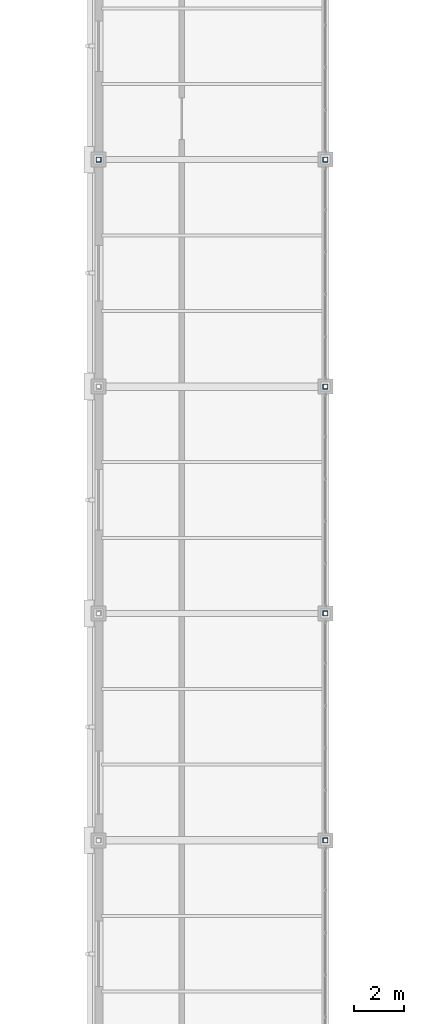
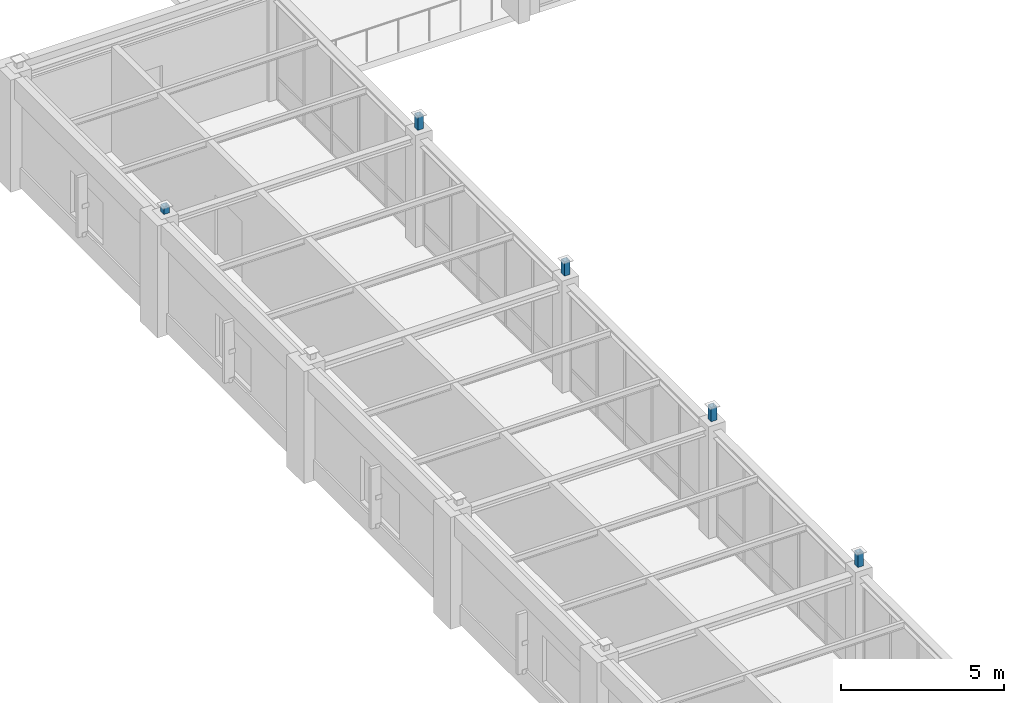
# One storey, part 68 of 97: 5 members.
"""IFC4 building model written with IfcOpenShell, lengths in metres."""

from ifc_helpers import new_model, si_unit, direction, frame, origin, origin_2d, place, context, subcontext, project, spatial, hollow_rectangle, extrude, material, material_profile, profile_set, type_object, element, save


model = new_model("IFC4")

# Units and contexts
model_context = context("Model", 3, precision=1e-05, world=origin(), true_north=direction((0.0, 1.0)))
body_context = subcontext(model_context, "Body", "Model", "MODEL_VIEW")
ifc_project = project(units=[si_unit("LENGTHUNIT", "METRE"), si_unit("AREAUNIT", "SQUARE_METRE"), si_unit("VOLUMEUNIT", "CUBIC_METRE"), si_unit("PLANEANGLEUNIT", "RADIAN"), si_unit("MASSUNIT", "GRAM", prefix="KILO")], contexts=[model_context])

# Site, building, storey
site_placement = place(None, origin())
site = spatial("IfcSite", under=ifc_project, at=site_placement, CompositionType="ELEMENT")
building_placement = place(site_placement, origin())
building = spatial("IfcBuilding", under=site, at=building_placement, Name="Lykobir Media Centre", CompositionType="ELEMENT")
storey_placement = place(building_placement, frame((0.0, 0.0, 23.39990234375)))
storey = spatial("IfcBuildingStorey", under=building, at=storey_placement, Name="L05", CompositionType="ELEMENT", Elevation=23.39990234375)

# Members
ifc_material = material(Name="Steel S355", Category="steel")
ifc_material_profile = material_profile(ifc_material, hollow_rectangle(XDim=0.199951171875, YDim=0.199951171875, WallThickness=0.010009765625, at=origin_2d()), Name="SHS 200x200x10")
ifc_profile_set = profile_set([ifc_material_profile], Name="Steel S355")
member_type = type_object("IfcMemberType", Name="TC-SHS200", PredefinedType="CHORD", material=ifc_profile_set)
member_placement = place(storey_placement, frame((90.0, 63.0, 4.2001953125), z_axis=(0.0, 0.0, 1.0), x_axis=(1.0, 0.0, 0.0)))
element("IfcMember", 1, at=member_placement, inside=storey, type_object=member_type, Name="Truss chord MEM2-L05-0900-0630-0276-0900-0630-0023", PredefinedType="CHORD", context=body_context, shape_type="SweptSolid", body=[
    extrude(hollow_rectangle(XDim=0.199951171875, YDim=0.199951171875, WallThickness=0.010009765625, at=origin_2d()), origin(), (0.0, 0.0, 1.0), 0.275146484375),
])
for number, where, z_axis, x_axis, name in (
    (2, (99.0, 36.0, 4.2001953125), (0.0, 0.0, 1.0), (1.0, 0.0, 0.0), "Truss chord MEM2-L05-0990-0360-0276-0990-0360-0026"),
    (3, (99.0, 45.0, 4.2001953125), (0.0, 0.0, 1.0), (1.0, 0.0, 0.0), "Truss chord MEM2-L05-0990-0450-0276-0990-0450-0027"),
    (4, (99.0, 54.0, 4.2001953125), (0.0, 0.0, 1.0), (1.0, 0.0, 0.0), "Truss chord MEM2-L05-0990-0540-0276-0990-0540-0028"),
    (5, (99.0, 63.0, 4.2001953125), (0.0, 0.0, 1.0), (1.0, 0.0, 0.0), "Truss chord MEM2-L05-0990-0630-0276-0990-0630-0029"),
):
    element("IfcMember", number, at=place(storey_placement, frame(where, z_axis=z_axis, x_axis=x_axis)), inside=storey, type_object=member_type, Name=name, PredefinedType="CHORD", context=body_context, shape_type="SweptSolid", body=[
        extrude(hollow_rectangle(XDim=0.199951171875, YDim=0.199951171875, WallThickness=0.010009765625, at=origin_2d()), origin(), (0.0, 0.0, 1.0), 0.530029296875),
    ])

save(model, "model.ifc")
